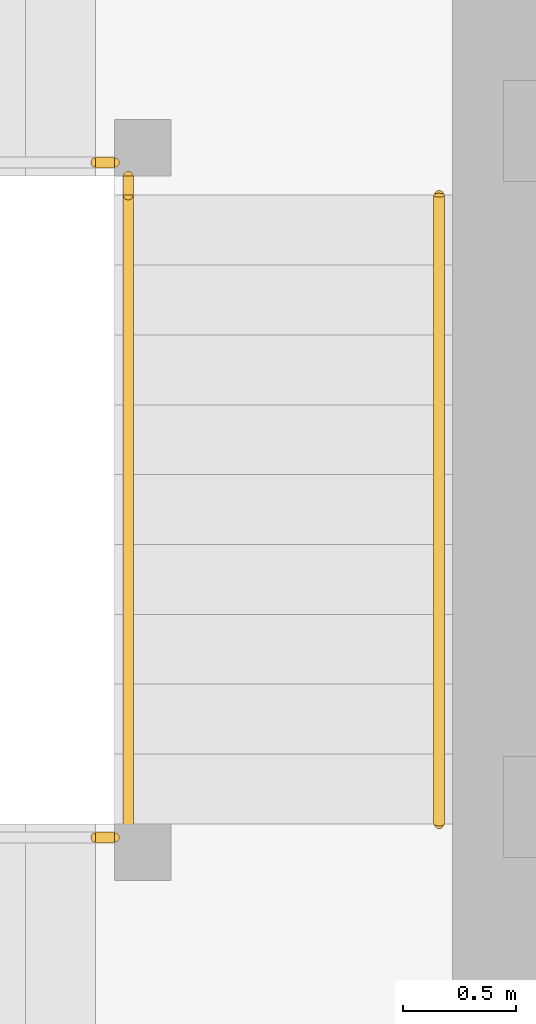
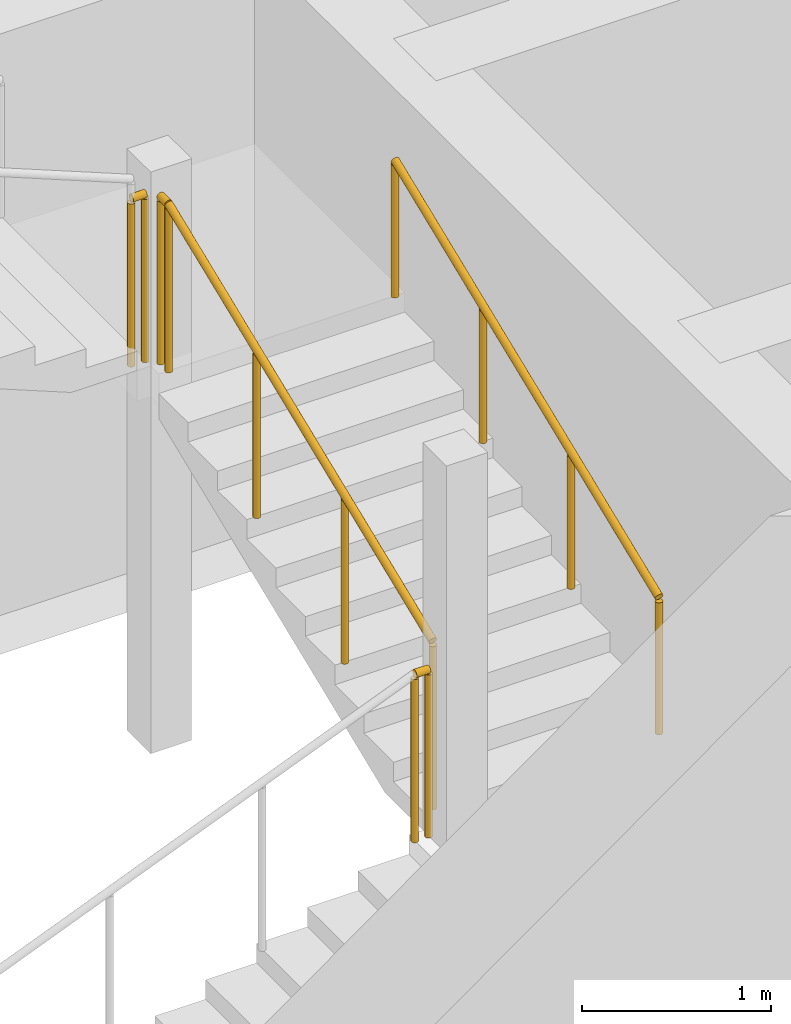
# One storey, part 36 of 40: 5 railings.
"""IFC4 building model written with IfcOpenShell, lengths in metres."""

from ifc_helpers import new_model, si_unit, direction, frame, origin, origin_2d, place, context, subcontext, project, spatial, circle, extrude, material, type_object, element, save


model = new_model("IFC4")

# Units and contexts
model_context = context("Model", 3, precision=1e-05, world=origin(), true_north=direction((0.0, 1.0)))
body_context = subcontext(model_context, "Body", "Model", "MODEL_VIEW")
ifc_project = project(units=[si_unit("LENGTHUNIT", "METRE"), si_unit("AREAUNIT", "SQUARE_METRE"), si_unit("VOLUMEUNIT", "CUBIC_METRE"), si_unit("PLANEANGLEUNIT", "RADIAN"), si_unit("MASSUNIT", "GRAM", prefix="KILO")], contexts=[model_context])

# Site, building, storey
site_placement = place(None, origin())
site = spatial("IfcSite", under=ifc_project, at=site_placement, CompositionType="ELEMENT")
building_placement = place(site_placement, origin())
building = spatial("IfcBuilding", under=site, at=building_placement, Name="Rekha Terrace Tower", CompositionType="ELEMENT")
storey_placement = place(building_placement, frame((0.0, 0.0, 117.800048828125)))
storey = spatial("IfcBuildingStorey", under=building, at=storey_placement, Name="L29", CompositionType="ELEMENT", Elevation=117.800048828125)

# Railings
ifc_material_1 = material(Name="Stainless steel balustrade", Category="steel")
railing_type_1 = type_object("IfcRailingType", Name="GR1 1100 stair guard", PredefinedType="GUARDRAIL", material=ifc_material_1)
railing_1_placement = place(storey_placement, frame((30.135009765625, 41.324951171875, 1.375)))
element("IfcRailing", 1, at=railing_1_placement, inside=storey, type_object=railing_type_1, Name="Guard ST4 L29 flight 2", PredefinedType="GUARDRAIL", context=body_context, shape_type="SweptSolid", body=[
    extrude(circle(Radius=0.02392578125, at=origin_2d()), frame((0.0, 0.0, 1.076171875), z_axis=(0.0, 0.927443287984, 0.373963831907), x_axis=(-1.0, 0.0, 0.0)), (0.0, 0.0, 1.0), 3.00830078125),
    extrude(circle(Radius=0.02099609375, at=origin_2d()), origin(), (0.0, 0.0, 1.0), 1.052001953125),
    extrude(circle(Radius=0.02099609375, at=origin_2d()), frame((0.0, 0.929931640625, 0.375)), (0.0, 0.0, 1.0), 1.052001953125),
    extrude(circle(Radius=0.02099609375, at=origin_2d()), frame((0.0, 1.860107421875, 0.75)), (0.0, 0.0, 1.0), 1.052001953125),
    extrude(circle(Radius=0.02099609375, at=origin_2d()), frame((0.0, 2.7900390625, 1.125)), (0.0, 0.0, 1.0), 1.052001953125),
])
railing_2_placement = place(storey_placement, frame((29.989990234375, 41.264892578125, 1.25)))
element("IfcRailing", 2, at=railing_2_placement, inside=storey, type_object=railing_type_1, Name="Guard ST4 L29 landing 1", PredefinedType="GUARDRAIL", context=body_context, shape_type="SweptSolid", body=[
    extrude(circle(Radius=0.02392578125, at=origin_2d()), frame((0.0, 0.0, 1.076171875), z_axis=(1.0, 0.0, 0.0), x_axis=(0.0, 1.0, 0.0)), (0.0, 0.0, 1.0), 0.0849609375),
    extrude(circle(Radius=0.02099609375, at=origin_2d()), origin(), (0.0, 0.0, 1.0), 1.052001953125),
    extrude(circle(Radius=0.02099609375, at=origin_2d()), frame((0.0849609375, 0.0, 0.0)), (0.0, 0.0, 1.0), 1.052001953125),
])
railing_3_placement = place(storey_placement, frame((30.135009765625, 44.114990234375, 2.5)))
element("IfcRailing", 3, at=railing_3_placement, inside=storey, type_object=railing_type_1, Name="Guard ST4 L29 landing 2", PredefinedType="GUARDRAIL", context=body_context, shape_type="SweptSolid", body=[
    extrude(circle(Radius=0.02392578125, at=origin_2d()), frame((0.0, 0.0, 1.076171875), z_axis=(0.0, 1.0, 0.0), x_axis=(-1.0, 0.0, 0.0)), (0.0, 0.0, 1.0), 0.0849609375),
    extrude(circle(Radius=0.02099609375, at=origin_2d()), origin(), (0.0, 0.0, 1.0), 1.052001953125),
    extrude(circle(Radius=0.02099609375, at=origin_2d()), frame((0.0, 0.0849609375, 0.0)), (0.0, 0.0, 1.0), 1.052001953125),
])
railing_4_placement = place(storey_placement, frame((29.989990234375, 44.260009765625, 2.5)))
element("IfcRailing", 4, at=railing_4_placement, inside=storey, type_object=railing_type_1, Name="Guard ST4 L29 landing 3", PredefinedType="GUARDRAIL", context=body_context, shape_type="SweptSolid", body=[
    extrude(circle(Radius=0.02392578125, at=origin_2d()), frame((0.0, 0.0, 1.076171875), z_axis=(1.0, 0.0, 0.0), x_axis=(0.0, 1.0, 0.0)), (0.0, 0.0, 1.0), 0.0849609375),
    extrude(circle(Radius=0.02099609375, at=origin_2d()), origin(), (0.0, 0.0, 1.0), 1.052001953125),
    extrude(circle(Radius=0.02099609375, at=origin_2d()), frame((0.0849609375, 0.0, 0.0)), (0.0, 0.0, 1.0), 1.052001953125),
])
ifc_material_2 = material(Name="Stainless steel tube", Category="steel")
railing_type_2 = type_object("IfcRailingType", Name="HR1 900 stair handrail", PredefinedType="HANDRAIL", material=ifc_material_2)
railing_5_placement = place(storey_placement, frame((31.514892578125, 41.324951171875, 1.375)))
element("IfcRailing", 5, at=railing_5_placement, inside=storey, type_object=railing_type_2, Name="Handrail ST4 L29 flight 2", PredefinedType="HANDRAIL", context=body_context, shape_type="SweptSolid", body=[
    extrude(circle(Radius=0.02392578125, at=origin_2d()), frame((0.0, 0.0, 0.8759765625), z_axis=(0.0, 0.927443287984, 0.373963831907), x_axis=(-1.0, 0.0, 0.0)), (0.0, 0.0, 1.0), 3.00830078125),
    extrude(circle(Radius=0.02099609375, at=origin_2d()), origin(), (0.0, 0.0, 1.0), 0.851806640625),
    extrude(circle(Radius=0.02099609375, at=origin_2d()), frame((0.0, 0.929931640625, 0.375)), (0.0, 0.0, 1.0), 0.851806640625),
    extrude(circle(Radius=0.02099609375, at=origin_2d()), frame((0.0, 1.860107421875, 0.75)), (0.0, 0.0, 1.0), 0.851806640625),
    extrude(circle(Radius=0.02099609375, at=origin_2d()), frame((0.0, 2.7900390625, 1.125)), (0.0, 0.0, 1.0), 0.851806640625),
])

save(model, "model.ifc")
